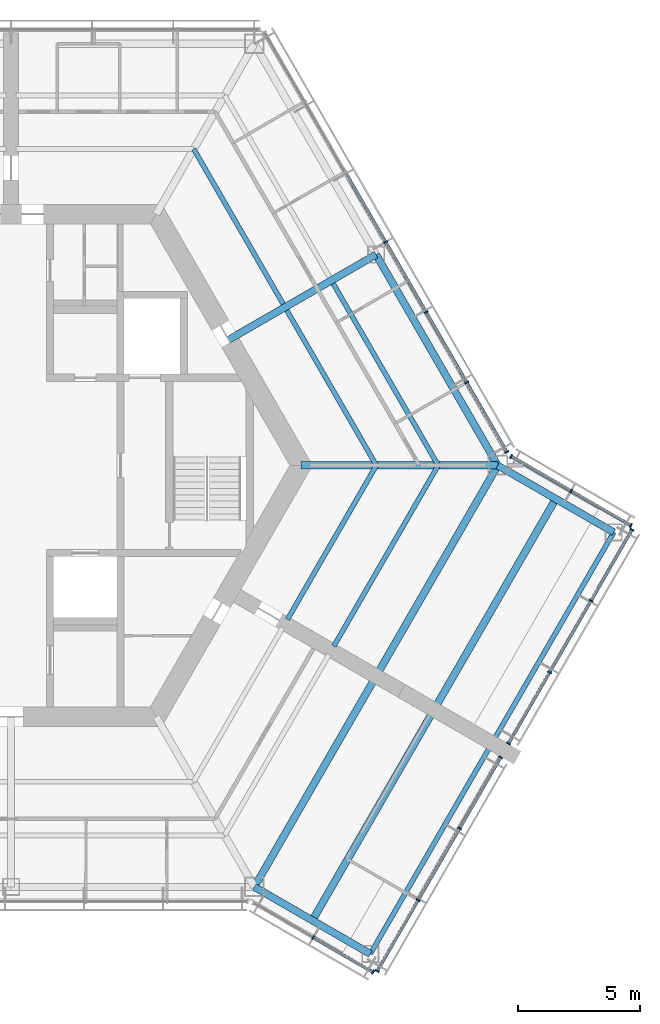
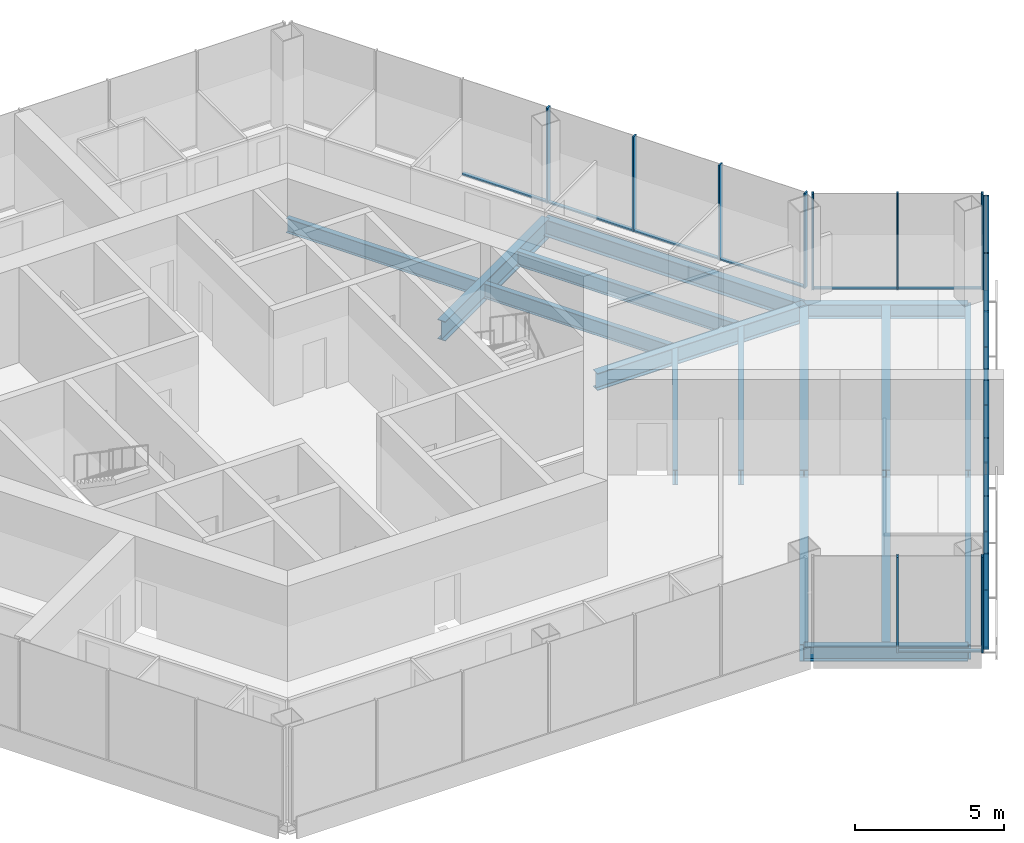
# One storey, part 4 of 13: 30 members, 16 beams, 5 elements without a shape of their own.
"""IFC4 building model written with IfcOpenShell, lengths in metres."""

from ifc_helpers import new_model, si_unit, direction, frame, origin, origin_2d, place, context, subcontext, project, spatial, rectangle, i_section, extrude, material, material_profile, profile_set, type_object, element, aggregate, save


model = new_model("IFC4")

# Units and contexts
model_context = context("Model", 3, precision=1e-05, world=origin(), true_north=direction((0.0, 1.0)))
body_context = subcontext(model_context, "Body", "Model", "MODEL_VIEW")
ifc_project = project(units=[si_unit("LENGTHUNIT", "METRE"), si_unit("AREAUNIT", "SQUARE_METRE"), si_unit("VOLUMEUNIT", "CUBIC_METRE"), si_unit("PLANEANGLEUNIT", "RADIAN"), si_unit("MASSUNIT", "GRAM", prefix="KILO")], contexts=[model_context])

# Site, building, storey
site_placement = place(None, origin())
site = spatial("IfcSite", under=ifc_project, at=site_placement, CompositionType="ELEMENT")
building_placement = place(site_placement, origin())
building = spatial("IfcBuilding", under=site, at=building_placement, Name="Kasaneha Research Tower", CompositionType="ELEMENT")
storey_placement = place(building_placement, frame((0.0, 0.0, 298.60009765625)))
storey = spatial("IfcBuildingStorey", under=building, at=storey_placement, Name="L75", CompositionType="ELEMENT", Elevation=298.60009765625)

# Beams
ifc_material_1 = material(Name="Steel SN490B", Category="steel")
ifc_material_profile_1 = material_profile(ifc_material_1, i_section(OverallWidth=0.199951171875, OverallDepth=0.60009765625, WebThickness=0.010986328125, FlangeThickness=0.01708984375, FilletRadius=0.012939453125, at=origin_2d()), Name="H-600x200x11x17")
ifc_profile_set_1 = profile_set([ifc_material_profile_1], Name="Steel SN490B")
beam_type_1 = type_object("IfcBeamType", Name="B1-3 secondary beam H-600x200x11x17", PredefinedType="JOIST", material=ifc_profile_set_1)
beam_1_placement = place(storey_placement, frame((15.010986328125, 0.0, -0.4501953125), z_axis=(-0.499994443168, 0.866028611999, 0.0), x_axis=(-0.866028611999, -0.499994443168, 0.0)))
element("IfcBeam", 1, at=beam_1_placement, inside=storey, type_object=beam_type_1, Name="Secondary beam RS030L1 L75", PredefinedType="JOIST", context=body_context, shape_type="SweptSolid", body=[
    extrude(i_section(OverallWidth=0.199951171875, OverallDepth=0.60009765625, WebThickness=0.010986328125, FlangeThickness=0.01708984375, FilletRadius=0.012939453125, at=origin_2d()), origin(), (0.0, 0.0, 1.0), 7.35546875),
])
beam_2_placement = place(storey_placement, frame((17.551513671875, 0.0, -0.4501953125), z_axis=(-0.5000050195, 0.866022505755, 0.0), x_axis=(-0.866022505755, -0.5000050195, 0.0)))
element("IfcBeam", 2, at=beam_2_placement, inside=storey, type_object=beam_type_1, Name="Secondary beam RS030L2 L75", PredefinedType="JOIST", context=body_context, shape_type="SweptSolid", body=[
    extrude(i_section(OverallWidth=0.199951171875, OverallDepth=0.60009765625, WebThickness=0.010986328125, FlangeThickness=0.01708984375, FilletRadius=0.012939453125, at=origin_2d()), origin(), (0.0, 0.0, 1.0), 8.6259765625),
])
beam_3_placement = place(storey_placement, frame((7.505615234375, 13.0, -0.4501953125), z_axis=(0.499994443168, -0.866028611999, 0.0), x_axis=(0.866028611999, 0.499994443168, 0.0)))
element("IfcBeam", 3, at=beam_3_placement, inside=storey, type_object=beam_type_1, Name="Secondary beam RS030R1 L75", PredefinedType="JOIST", context=body_context, shape_type="SweptSolid", body=[
    extrude(i_section(OverallWidth=0.199951171875, OverallDepth=0.60009765625, WebThickness=0.010986328125, FlangeThickness=0.01708984375, FilletRadius=0.012939453125, at=origin_2d()), origin(), (0.0, 0.0, 1.0), 7.35546875),
])
beam_4_placement = place(storey_placement, frame((15.010986328125, 0.0, -0.4501953125), z_axis=(-0.499974128195, -0.866040340363, 0.0), x_axis=(0.866040340363, -0.499974128195, 0.0)))
element("IfcBeam", 4, at=beam_4_placement, inside=storey, type_object=beam_type_1, Name="Secondary beam RS330R1 L75", PredefinedType="JOIST", context=body_context, shape_type="SweptSolid", body=[
    extrude(i_section(OverallWidth=0.199951171875, OverallDepth=0.60009765625, WebThickness=0.010986328125, FlangeThickness=0.01708984375, FilletRadius=0.012939453125, at=origin_2d()), origin(), (0.0, 0.0, 1.0), 7.3056640625),
])
beam_5_placement = place(storey_placement, frame((17.551513671875, 0.0, -0.4501953125), z_axis=(-0.500000102728, -0.866025344474, 0.0), x_axis=(0.866025344474, -0.500000102728, 0.0)))
element("IfcBeam", 5, at=beam_5_placement, inside=storey, type_object=beam_type_1, Name="Secondary beam RS330R2 L75", PredefinedType="JOIST", context=body_context, shape_type="SweptSolid", body=[
    extrude(i_section(OverallWidth=0.199951171875, OverallDepth=0.60009765625, WebThickness=0.010986328125, FlangeThickness=0.01708984375, FilletRadius=0.012939453125, at=origin_2d()), origin(), (0.0, 0.0, 1.0), 8.57568359375),
])
ifc_material_2 = material(Name="Steel SN490B", Category="steel")
ifc_material_profile_2 = material_profile(ifc_material_2, i_section(OverallWidth=0.300048828125, OverallDepth=0.58203125, WebThickness=0.011962890625, FlangeThickness=0.01708984375, FilletRadius=0.012939453125, at=origin_2d()), Name="H-582x300x12x17")
ifc_profile_set_2 = profile_set([ifc_material_profile_2], Name="Steel SN490B")
beam_type_2 = type_object("IfcBeamType", Name="B2-3 secondary beam H-582x300x12x17", PredefinedType="JOIST", material=ifc_profile_set_2)
for number, where, z_axis, x_axis, name in (
    (6, (12.381591796875, -18.695556640625, -0.441162109375), (0.49999201416, 0.866030014362, 0.0), (-0.866030014362, 0.49999201416, 0.0), "Secondary beam WBCP1 L75"),
    (7, (22.381591796875, -1.375, -0.441162109375), (-0.49999201416, -0.866030014362, 0.0), (0.866030014362, -0.49999201416, 0.0), "Secondary beam WBCN1 L75"),
):
    element("IfcBeam", number, at=place(storey_placement, frame(where, z_axis=z_axis, x_axis=x_axis)), inside=storey, type_object=beam_type_2, Name=name, PredefinedType="JOIST", context=body_context, shape_type="SweptSolid", body=[
        extrude(i_section(OverallWidth=0.300048828125, OverallDepth=0.58203125, WebThickness=0.011962890625, FlangeThickness=0.01708984375, FilletRadius=0.012939453125, at=origin_2d()), origin(), (0.0, 0.0, 1.0), 9.800048828125),
    ])

# Curtain wall, members
ifc_material_3 = material(Name="Glass and aluminium", Category="aluminium")
curtain_wall_type = type_object("IfcCurtainWallType", Name="Crown curtain wall", PredefinedType="USERDEFINED", material=ifc_material_3)
curtain_wall_1_placement = place(storey_placement, origin())
curtain_wall_1 = element("IfcCurtainWall", 8, at=curtain_wall_1_placement, inside=storey, type_object=curtain_wall_type, Name="CW-C L75 run 01a", ObjectType="UNITISED CURTAIN WALL", PredefinedType="USERDEFINED")
ifc_material_4 = material(Name="Aluminium 6063-T6", Category="aluminium")
ifc_material_profile_3 = material_profile(ifc_material_4, rectangle(XDim=0.06005859375, YDim=0.179931640625, at=origin_2d()), Name="CW-C mullion 60x180")
ifc_profile_set_3 = profile_set([ifc_material_profile_3], Name="Aluminium 6063-T6")
member_type_1 = type_object("IfcMemberType", Name="CW-C mullion", PredefinedType="MULLION", material=ifc_profile_set_3)
member_1_placement = place(storey_placement, frame((20.374267578125, 0.5517578125, 0.0), z_axis=(0.0, 0.0, 1.0), x_axis=(-0.499999979232, 0.866025415775, 0.0)))
member_1 = element("IfcMember", 9, at=member_1_placement, type_object=member_type_1, Name="CW-C mullion 1", PredefinedType="MULLION", context=body_context, shape_type="SweptSolid", body=[
    extrude(rectangle(XDim=0.06005859375, YDim=0.179931640625, at=origin_2d()), origin(), (0.0, 0.0, 1.0), 3.89990234375),
])
member_2_placement = place(storey_placement, frame((18.723876953125, 3.410400390625, 0.0), z_axis=(0.0, 0.0, 1.0), x_axis=(-0.499999979232, 0.866025415775, 0.0)))
member_2 = element("IfcMember", 10, at=member_2_placement, type_object=member_type_1, Name="CW-C mullion 2", PredefinedType="MULLION", context=body_context, shape_type="SweptSolid", body=[
    extrude(rectangle(XDim=0.06005859375, YDim=0.179931640625, at=origin_2d()), origin(), (0.0, 0.0, 1.0), 3.89990234375),
])
member_3_placement = place(storey_placement, frame((17.058349609375, 6.295166015625, 0.0), z_axis=(0.0, 0.0, 1.0), x_axis=(-0.499999979232, 0.866025415775, 0.0)))
member_3 = element("IfcMember", 11, at=member_3_placement, type_object=member_type_1, Name="CW-C mullion 3", PredefinedType="MULLION", context=body_context, shape_type="SweptSolid", body=[
    extrude(rectangle(XDim=0.06005859375, YDim=0.179931640625, at=origin_2d()), origin(), (0.0, 0.0, 1.0), 3.89990234375),
])
member_4_placement = place(storey_placement, frame((15.392822265625, 9.179931640625, 0.0), z_axis=(0.0, 0.0, 1.0), x_axis=(-0.499999979232, 0.866025415775, 0.0)))
member_4 = element("IfcMember", 12, at=member_4_placement, type_object=member_type_1, Name="CW-C mullion 4", PredefinedType="MULLION", context=body_context, shape_type="SweptSolid", body=[
    extrude(rectangle(XDim=0.06005859375, YDim=0.179931640625, at=origin_2d()), origin(), (0.0, 0.0, 1.0), 3.89990234375),
])

curtain_wall_2_placement = place(storey_placement, origin())
curtain_wall_2 = element("IfcCurtainWall", 13, at=curtain_wall_2_placement, inside=storey, type_object=curtain_wall_type, Name="CW-C L75 run 06a", ObjectType="UNITISED CURTAIN WALL", PredefinedType="USERDEFINED")
member_5_placement = place(storey_placement, frame((12.410888671875, -19.4052734375, 0.0), z_axis=(0.0, 0.0, 1.0), x_axis=(0.866025443395, -0.499999931393, 0.0)))
member_5 = element("IfcMember", 14, at=member_5_placement, type_object=member_type_1, Name="CW-C mullion 2", PredefinedType="MULLION", context=body_context, shape_type="SweptSolid", body=[
    extrude(rectangle(XDim=0.06005859375, YDim=0.179931640625, at=origin_2d()), origin(), (0.0, 0.0, 1.0), 3.89990234375),
])
member_6_placement = place(storey_placement, frame((14.8701171875, -20.8251953125, 0.0), z_axis=(0.0, 0.0, 1.0), x_axis=(0.866025443395, -0.499999931393, 0.0)))
member_6 = element("IfcMember", 15, at=member_6_placement, type_object=member_type_1, Name="CW-C mullion 3", PredefinedType="MULLION", context=body_context, shape_type="SweptSolid", body=[
    extrude(rectangle(XDim=0.06005859375, YDim=0.179931640625, at=origin_2d()), origin(), (0.0, 0.0, 1.0), 3.89990234375),
])

curtain_wall_3_placement = place(storey_placement, origin())
curtain_wall_3 = element("IfcCurtainWall", 16, at=curtain_wall_3_placement, inside=storey, type_object=curtain_wall_type, Name="CW-C L75 run 07a", ObjectType="UNITISED CURTAIN WALL", PredefinedType="USERDEFINED")
member_7_placement = place(storey_placement, frame((15.0478515625, -20.777587890625, 0.0), z_axis=(0.0, 0.0, 1.0), x_axis=(0.500000011442, 0.866025397178, 0.0)))
member_7 = element("IfcMember", 17, at=member_7_placement, type_object=member_type_1, Name="CW-C mullion 1", PredefinedType="MULLION", context=body_context, shape_type="SweptSolid", body=[
    extrude(rectangle(XDim=0.06005859375, YDim=0.179931640625, at=origin_2d()), origin(), (0.0, 0.0, 1.0), 3.89990234375),
])
member_8_placement = place(storey_placement, frame((16.732666015625, -17.859130859375, 0.0), z_axis=(0.0, 0.0, 1.0), x_axis=(0.500000011442, 0.866025397178, 0.0)))
member_8 = element("IfcMember", 18, at=member_8_placement, type_object=member_type_1, Name="CW-C mullion 2", PredefinedType="MULLION", context=body_context, shape_type="SweptSolid", body=[
    extrude(rectangle(XDim=0.06005859375, YDim=0.179931640625, at=origin_2d()), origin(), (0.0, 0.0, 1.0), 3.89990234375),
])
member_9_placement = place(storey_placement, frame((18.432861328125, -14.91455078125, 0.0), z_axis=(0.0, 0.0, 1.0), x_axis=(0.500000011442, 0.866025397178, 0.0)))
member_9 = element("IfcMember", 19, at=member_9_placement, type_object=member_type_1, Name="CW-C mullion 3", PredefinedType="MULLION", context=body_context, shape_type="SweptSolid", body=[
    extrude(rectangle(XDim=0.06005859375, YDim=0.179931640625, at=origin_2d()), origin(), (0.0, 0.0, 1.0), 3.89990234375),
])
member_10_placement = place(storey_placement, frame((20.11767578125, -11.99609375, 0.0), z_axis=(0.0, 0.0, 1.0), x_axis=(0.500000011442, 0.866025397178, 0.0)))
member_10 = element("IfcMember", 20, at=member_10_placement, type_object=member_type_1, Name="CW-C mullion 4", PredefinedType="MULLION", context=body_context, shape_type="SweptSolid", body=[
    extrude(rectangle(XDim=0.06005859375, YDim=0.179931640625, at=origin_2d()), origin(), (0.0, 0.0, 1.0), 3.89990234375),
])

curtain_wall_4_placement = place(storey_placement, origin())
curtain_wall_4 = element("IfcCurtainWall", 21, at=curtain_wall_4_placement, inside=storey, type_object=curtain_wall_type, Name="CW-C L75 run 08a", ObjectType="UNITISED CURTAIN WALL", PredefinedType="USERDEFINED")
member_11_placement = place(storey_placement, frame((20.44775390625, -11.424560546875, 0.0), z_axis=(0.0, 0.0, 1.0), x_axis=(0.500000011442, 0.866025397178, 0.0)))
member_11 = element("IfcMember", 22, at=member_11_placement, type_object=member_type_1, Name="CW-C mullion 1", PredefinedType="MULLION", context=body_context, shape_type="SweptSolid", body=[
    extrude(rectangle(XDim=0.06005859375, YDim=0.179931640625, at=origin_2d()), origin(), (0.0, 0.0, 1.0), 3.89990234375),
])
member_12_placement = place(storey_placement, frame((22.1328125, -8.505859375, 0.0), z_axis=(0.0, 0.0, 1.0), x_axis=(0.500000011442, 0.866025397178, 0.0)))
member_12 = element("IfcMember", 23, at=member_12_placement, type_object=member_type_1, Name="CW-C mullion 2", PredefinedType="MULLION", context=body_context, shape_type="SweptSolid", body=[
    extrude(rectangle(XDim=0.06005859375, YDim=0.179931640625, at=origin_2d()), origin(), (0.0, 0.0, 1.0), 3.89990234375),
])
member_13_placement = place(storey_placement, frame((23.832763671875, -5.5615234375, 0.0), z_axis=(0.0, 0.0, 1.0), x_axis=(0.500000011442, 0.866025397178, 0.0)))
member_13 = element("IfcMember", 24, at=member_13_placement, type_object=member_type_1, Name="CW-C mullion 3", PredefinedType="MULLION", context=body_context, shape_type="SweptSolid", body=[
    extrude(rectangle(XDim=0.06005859375, YDim=0.179931640625, at=origin_2d()), origin(), (0.0, 0.0, 1.0), 3.89990234375),
])
member_14_placement = place(storey_placement, frame((25.517822265625, -2.64306640625, 0.0), z_axis=(0.0, 0.0, 1.0), x_axis=(0.500000011442, 0.866025397178, 0.0)))
member_14 = element("IfcMember", 25, at=member_14_placement, type_object=member_type_1, Name="CW-C mullion 4", PredefinedType="MULLION", context=body_context, shape_type="SweptSolid", body=[
    extrude(rectangle(XDim=0.06005859375, YDim=0.179931640625, at=origin_2d()), origin(), (0.0, 0.0, 1.0), 3.89990234375),
])

curtain_wall_5_placement = place(storey_placement, origin())
curtain_wall_5 = element("IfcCurtainWall", 26, at=curtain_wall_5_placement, inside=storey, type_object=curtain_wall_type, Name="CW-C L75 run 09a", ObjectType="UNITISED CURTAIN WALL", PredefinedType="USERDEFINED")
member_15_placement = place(storey_placement, frame((25.47021484375, -2.46533203125, 0.0), z_axis=(0.0, 0.0, 1.0), x_axis=(-0.866025443395, 0.499999931393, 0.0)))
member_15 = element("IfcMember", 27, at=member_15_placement, type_object=member_type_1, Name="CW-C mullion 1", PredefinedType="MULLION", context=body_context, shape_type="SweptSolid", body=[
    extrude(rectangle(XDim=0.06005859375, YDim=0.179931640625, at=origin_2d()), origin(), (0.0, 0.0, 1.0), 3.89990234375),
])
member_16_placement = place(storey_placement, frame((23.010986328125, -1.045654296875, 0.0), z_axis=(0.0, 0.0, 1.0), x_axis=(-0.866025443395, 0.499999931393, 0.0)))
member_16 = element("IfcMember", 28, at=member_16_placement, type_object=member_type_1, Name="CW-C mullion 2", PredefinedType="MULLION", context=body_context, shape_type="SweptSolid", body=[
    extrude(rectangle(XDim=0.06005859375, YDim=0.179931640625, at=origin_2d()), origin(), (0.0, 0.0, 1.0), 3.89990234375),
])
member_17_placement = place(storey_placement, frame((20.5517578125, 0.374267578125, 0.0), z_axis=(0.0, 0.0, 1.0), x_axis=(-0.866025443395, 0.499999931393, 0.0)))
member_17 = element("IfcMember", 29, at=member_17_placement, type_object=member_type_1, Name="CW-C mullion 3", PredefinedType="MULLION", context=body_context, shape_type="SweptSolid", body=[
    extrude(rectangle(XDim=0.06005859375, YDim=0.179931640625, at=origin_2d()), origin(), (0.0, 0.0, 1.0), 3.89990234375),
])

# Member
ifc_material_5 = material(Name="Aluminium 6063-T6", Category="aluminium")
ifc_material_profile_4 = material_profile(ifc_material_5, rectangle(XDim=0.1298828125, YDim=0.06005859375, at=origin_2d()), Name="CW-C transom 130x60")
ifc_profile_set_4 = profile_set([ifc_material_profile_4], Name="Aluminium 6063-T6")
member_type_2 = type_object("IfcMemberType", Name="CW-C transom", PredefinedType="USERDEFINED", material=ifc_profile_set_4)
member_18_placement = place(storey_placement, frame((20.359130859375, 0.577880859375, 0.02978515625), z_axis=(-0.499987643696, 0.866032537582, 0.0), x_axis=(-0.866032537582, -0.499987643696, 0.0)))
member_18 = element("IfcMember", 30, at=member_18_placement, type_object=member_type_2, Name="CW-C transom 1", ObjectType="TRANSOM", PredefinedType="USERDEFINED", context=body_context, shape_type="SweptSolid", body=[
    extrude(rectangle(XDim=0.1298828125, YDim=0.06005859375, at=origin_2d()), origin(), (0.0, 0.0, 1.0), 3.24072265625),
])

member_19_placement = place(storey_placement, frame((18.708740234375, 3.4365234375, 0.02978515625), z_axis=(-0.500000270186, 0.866025247793, 0.0), x_axis=(-0.866025247793, -0.500000270186, 0.0)))
member_19 = element("IfcMember", 31, at=member_19_placement, type_object=member_type_2, Name="CW-C transom 2", ObjectType="TRANSOM", PredefinedType="USERDEFINED", context=body_context, shape_type="SweptSolid", body=[
    extrude(rectangle(XDim=0.1298828125, YDim=0.06005859375, at=origin_2d()), origin(), (0.0, 0.0, 1.0), 3.27099609375),
])

member_20_placement = place(storey_placement, frame((17.043212890625, 6.3212890625, 0.02978515625), z_axis=(-0.50003259116, 0.866006586452, 0.0), x_axis=(-0.866006586452, -0.50003259116, 0.0)))
member_20 = element("IfcMember", 32, at=member_20_placement, type_object=member_type_2, Name="CW-C transom 3", ObjectType="TRANSOM", PredefinedType="USERDEFINED", context=body_context, shape_type="SweptSolid", body=[
    extrude(rectangle(XDim=0.1298828125, YDim=0.06005859375, at=origin_2d()), origin(), (0.0, 0.0, 1.0), 3.270751953125),
])

member_21_placement = place(storey_placement, frame((15.3779296875, 9.205810546875, 0.02978515625), z_axis=(-0.500000270186, 0.866025247793, 0.0), x_axis=(-0.866025247793, -0.500000270186, 0.0)))
member_21 = element("IfcMember", 33, at=member_21_placement, type_object=member_type_2, Name="CW-C transom 4", ObjectType="TRANSOM", PredefinedType="USERDEFINED", context=body_context, shape_type="SweptSolid", body=[
    extrude(rectangle(XDim=0.1298828125, YDim=0.06005859375, at=origin_2d()), origin(), (0.0, 0.0, 1.0), 3.27099609375),
])

aggregate(curtain_wall_1, [member_1, member_2, member_3, member_4, member_18, member_19, member_20, member_21])

member_22_placement = place(storey_placement, frame((12.43701171875, -19.42041015625, 0.02978515625), z_axis=(0.866051024128, -0.499955621637, 0.0), x_axis=(0.499955621637, 0.866051024128, 0.0)))
member_22 = element("IfcMember", 34, at=member_22_placement, type_object=member_type_2, Name="CW-C transom 2", ObjectType="TRANSOM", PredefinedType="USERDEFINED", context=body_context, shape_type="SweptSolid", body=[
    extrude(rectangle(XDim=0.1298828125, YDim=0.06005859375, at=origin_2d()), origin(), (0.0, 0.0, 1.0), 2.779541015625),
])

aggregate(curtain_wall_2, [member_5, member_6, member_22])

member_23_placement = place(storey_placement, frame((15.062744140625, -20.75146484375, 0.02978515625), z_axis=(0.500018282537, 0.866014848099, 0.0), x_axis=(-0.866014848099, 0.500018282537, 0.0)))
member_23 = element("IfcMember", 35, at=member_23_placement, type_object=member_type_2, Name="CW-C transom 1", ObjectType="TRANSOM", PredefinedType="USERDEFINED", context=body_context, shape_type="SweptSolid", body=[
    extrude(rectangle(XDim=0.1298828125, YDim=0.06005859375, at=origin_2d()), origin(), (0.0, 0.0, 1.0), 3.31005859375),
])

member_24_placement = place(storey_placement, frame((16.747802734375, -17.8330078125, 0.02978515625), z_axis=(0.499975549825, 0.866039519639, 0.0), x_axis=(-0.866039519639, 0.499975549825, 0.0)))
member_24 = element("IfcMember", 36, at=member_24_placement, type_object=member_type_2, Name="CW-C transom 2", ObjectType="TRANSOM", PredefinedType="USERDEFINED", context=body_context, shape_type="SweptSolid", body=[
    extrude(rectangle(XDim=0.1298828125, YDim=0.06005859375, at=origin_2d()), origin(), (0.0, 0.0, 1.0), 3.340087890625),
])

member_25_placement = place(storey_placement, frame((18.44775390625, -14.888671875, 0.02978515625), z_axis=(0.49998634449, 0.866033287653, 0.0), x_axis=(-0.866033287653, 0.49998634449, 0.0)))
member_25 = element("IfcMember", 37, at=member_25_placement, type_object=member_type_2, Name="CW-C transom 3", ObjectType="TRANSOM", PredefinedType="USERDEFINED", context=body_context, shape_type="SweptSolid", body=[
    extrude(rectangle(XDim=0.1298828125, YDim=0.06005859375, at=origin_2d()), origin(), (0.0, 0.0, 1.0), 3.31005859375),
])

aggregate(curtain_wall_3, [member_7, member_8, member_9, member_10, member_23, member_24, member_25])

member_26_placement = place(storey_placement, frame((20.462646484375, -11.3984375, 0.02978515625), z_axis=(0.500018282537, 0.866014848099, 0.0), x_axis=(-0.866014848099, 0.500018282537, 0.0)))
member_26 = element("IfcMember", 38, at=member_26_placement, type_object=member_type_2, Name="CW-C transom 1", ObjectType="TRANSOM", PredefinedType="USERDEFINED", context=body_context, shape_type="SweptSolid", body=[
    extrude(rectangle(XDim=0.1298828125, YDim=0.06005859375, at=origin_2d()), origin(), (0.0, 0.0, 1.0), 3.31005859375),
])

member_27_placement = place(storey_placement, frame((22.147705078125, -8.47998046875, 0.02978515625), z_axis=(0.500030370488, 0.866007868665, 0.0), x_axis=(-0.866007868665, 0.500030370488, 0.0)))
member_27 = element("IfcMember", 39, at=member_27_placement, type_object=member_type_2, Name="CW-C transom 2", ObjectType="TRANSOM", PredefinedType="USERDEFINED", context=body_context, shape_type="SweptSolid", body=[
    extrude(rectangle(XDim=0.1298828125, YDim=0.06005859375, at=origin_2d()), origin(), (0.0, 0.0, 1.0), 3.340087890625),
])

member_28_placement = place(storey_placement, frame((23.84765625, -5.535400390625, 0.02978515625), z_axis=(0.500018282537, 0.866014848099, 0.0), x_axis=(-0.866014848099, 0.500018282537, 0.0)))
member_28 = element("IfcMember", 40, at=member_28_placement, type_object=member_type_2, Name="CW-C transom 3", ObjectType="TRANSOM", PredefinedType="USERDEFINED", context=body_context, shape_type="SweptSolid", body=[
    extrude(rectangle(XDim=0.1298828125, YDim=0.06005859375, at=origin_2d()), origin(), (0.0, 0.0, 1.0), 3.31005859375),
])

aggregate(curtain_wall_4, [member_11, member_12, member_13, member_14, member_26, member_27, member_28])

member_29_placement = place(storey_placement, frame((25.444091796875, -2.450439453125, 0.02978515625), z_axis=(-0.866012991964, 0.500021497287, 0.0), x_axis=(-0.500021497287, -0.866012991964, 0.0)))
member_29 = element("IfcMember", 41, at=member_29_placement, type_object=member_type_2, Name="CW-C transom 1", ObjectType="TRANSOM", PredefinedType="USERDEFINED", context=body_context, shape_type="SweptSolid", body=[
    extrude(rectangle(XDim=0.1298828125, YDim=0.06005859375, at=origin_2d()), origin(), (0.0, 0.0, 1.0), 2.77978515625),
])

member_30_placement = place(storey_placement, frame((22.985107421875, -1.030517578125, 0.02978515625), z_axis=(-0.866051024128, 0.499955621637, 0.0), x_axis=(-0.499955621637, -0.866051024128, 0.0)))
member_30 = element("IfcMember", 42, at=member_30_placement, type_object=member_type_2, Name="CW-C transom 2", ObjectType="TRANSOM", PredefinedType="USERDEFINED", context=body_context, shape_type="SweptSolid", body=[
    extrude(rectangle(XDim=0.1298828125, YDim=0.06005859375, at=origin_2d()), origin(), (0.0, 0.0, 1.0), 2.779541015625),
])

aggregate(curtain_wall_5, [member_15, member_16, member_17, member_29, member_30])

# Beams
ifc_material_6 = material(Name="Steel SN490B", Category="steel")
ifc_material_profile_5 = material_profile(ifc_material_6, i_section(OverallWidth=0.300048828125, OverallDepth=0.699951171875, WebThickness=0.012939453125, FlangeThickness=0.02392578125, FilletRadius=0.01806640625, at=origin_2d()), Name="H-700x300x13x24")
ifc_profile_set_5 = profile_set([ifc_material_profile_5], Name="Steel SN490B")
beam_type_3 = type_object("IfcBeamType", Name="G1-3 radial girder H-700x300x13x24", PredefinedType="BEAM", material=ifc_profile_set_5)
beam_6_placement = place(storey_placement, frame((11.92236328125, 0.0, -0.5), z_axis=(1.0, 0.0, 0.0), x_axis=(0.0, 1.0, 0.0)))
element("IfcBeam", 43, at=beam_6_placement, inside=storey, type_object=beam_type_3, Name="Radial girder RV000 L75", PredefinedType="BEAM", context=body_context, shape_type="SweptSolid", body=[
    extrude(i_section(OverallWidth=0.300048828125, OverallDepth=0.699951171875, WebThickness=0.012939453125, FlangeThickness=0.02392578125, FilletRadius=0.01806640625, at=origin_2d()), origin(), (0.0, 0.0, 1.0), 8.07763671875),
])
ifc_material_7 = material(Name="Steel SN490B", Category="steel")
ifc_material_profile_6 = material_profile(ifc_material_7, i_section(OverallWidth=0.300048828125, OverallDepth=0.800048828125, WebThickness=0.013916015625, FlangeThickness=0.02587890625, FilletRadius=0.01806640625, at=origin_2d()), Name="H-800x300x14x26")
ifc_profile_set_6 = profile_set([ifc_material_profile_6], Name="Steel SN490B")
beam_type_4 = type_object("IfcBeamType", Name="G2-3 radial girder H-800x300x14x26", PredefinedType="BEAM", material=ifc_profile_set_6)
beam_7_placement = place(storey_placement, frame((8.941650390625, 5.16259765625, -0.550048828125), z_axis=(0.866039713508, 0.499975214012, 0.0), x_axis=(-0.499975214012, 0.866039713508, 0.0)))
element("IfcBeam", 44, at=beam_7_placement, inside=storey, type_object=beam_type_4, Name="Radial girder RM030 L75", PredefinedType="BEAM", context=body_context, shape_type="SweptSolid", body=[
    extrude(i_section(OverallWidth=0.300048828125, OverallDepth=0.800048828125, WebThickness=0.013916015625, FlangeThickness=0.02587890625, FilletRadius=0.01806640625, at=origin_2d()), origin(), (0.0, 0.0, 1.0), 6.995361328125),
])
ifc_material_8 = material(Name="Steel SN490B", Category="steel")
ifc_material_profile_7 = material_profile(ifc_material_8, i_section(OverallWidth=0.300048828125, OverallDepth=0.69189453125, WebThickness=0.012939453125, FlangeThickness=0.02001953125, FilletRadius=0.01806640625, at=origin_2d()), Name="H-692x300x13x20")
ifc_profile_set_7 = profile_set([ifc_material_profile_7], Name="Steel SN490B")
beam_type_5 = type_object("IfcBeamType", Name="G3-3 plate edge girder H-692x300x13x20", PredefinedType="BEAM", material=ifc_profile_set_7)
for number, where, z_axis, x_axis, name in (
    (45, (10.0, -17.320556640625, -0.49609375), (0.49999201416, 0.866030014362, 0.0), (-0.866030014362, 0.49999201416, 0.0), "Plate edge girder PECP L75"),
    (46, (20.0, 0.0, -0.49609375), (-0.49999201416, -0.866030014362, 0.0), (0.866030014362, -0.49999201416, 0.0), "Plate edge girder PECN L75"),
):
    element("IfcBeam", number, at=place(storey_placement, frame(where, z_axis=z_axis, x_axis=x_axis)), inside=storey, type_object=beam_type_5, Name=name, PredefinedType="BEAM", context=body_context, shape_type="SweptSolid", body=[
        extrude(i_section(OverallWidth=0.300048828125, OverallDepth=0.69189453125, WebThickness=0.012939453125, FlangeThickness=0.02001953125, FilletRadius=0.01806640625, at=origin_2d()), origin(), (0.0, 0.0, 1.0), 9.800048828125),
    ])
ifc_material_9 = material(Name="Steel SN490B", Category="steel")
ifc_material_profile_8 = material_profile(ifc_material_9, i_section(OverallWidth=0.300048828125, OverallDepth=0.69189453125, WebThickness=0.012939453125, FlangeThickness=0.02001953125, FilletRadius=0.01806640625, at=origin_2d()), Name="H-692x300x13x20")
ifc_profile_set_8 = profile_set([ifc_material_profile_8], Name="Steel SN490B")
beam_type_6 = type_object("IfcBeamType", Name="SB1-3 spandrel beam H-692x300x13x20", PredefinedType="SPANDREL", material=ifc_profile_set_8)
beam_8_placement = place(storey_placement, frame((20.0, 0.0, -0.49609375), z_axis=(-0.500004234368, 0.866022959057, 0.0), x_axis=(-0.866022959057, -0.500004234368, 0.0)))
element("IfcBeam", 47, at=beam_8_placement, inside=storey, type_object=beam_type_6, Name="Spandrel beam SR030L L75", PredefinedType="SPANDREL", context=body_context, shape_type="SweptSolid", body=[
    extrude(i_section(OverallWidth=0.300048828125, OverallDepth=0.69189453125, WebThickness=0.012939453125, FlangeThickness=0.02001953125, FilletRadius=0.01806640625, at=origin_2d()), origin(), (0.0, 0.0, 1.0), 10.0),
])
ifc_material_10 = material(Name="Steel SN490B", Category="steel")
ifc_material_profile_9 = material_profile(ifc_material_10, i_section(OverallWidth=0.300048828125, OverallDepth=0.58203125, WebThickness=0.011962890625, FlangeThickness=0.01708984375, FilletRadius=0.012939453125, at=origin_2d()), Name="H-582x300x12x17")
ifc_profile_set_9 = profile_set([ifc_material_profile_9], Name="Steel SN490B")
beam_type_7 = type_object("IfcBeamType", Name="SB2-3 spandrel beam H-582x300x12x17", PredefinedType="SPANDREL", material=ifc_profile_set_9)
for number, where, z_axis, x_axis, name in (
    (48, (10.0, -17.320556640625, -0.441162109375), (0.866027397988, -0.499996545922, 0.0), (0.499996545922, 0.866027397988, 0.0), "Spandrel beam WSCP1 L75"),
    (49, (20.0, 0.0, -0.441162109375), (0.866027397988, -0.499996545922, 0.0), (0.499996545922, 0.866027397988, 0.0), "Spandrel beam WSCN1 L75"),
):
    element("IfcBeam", number, at=place(storey_placement, frame(where, z_axis=z_axis, x_axis=x_axis)), inside=storey, type_object=beam_type_7, Name=name, PredefinedType="SPANDREL", context=body_context, shape_type="SweptSolid", body=[
        extrude(i_section(OverallWidth=0.300048828125, OverallDepth=0.58203125, WebThickness=0.011962890625, FlangeThickness=0.01708984375, FilletRadius=0.012939453125, at=origin_2d()), origin(), (0.0, 0.0, 1.0), 5.5),
    ])
ifc_material_11 = material(Name="Steel SN490B", Category="steel")
ifc_material_profile_10 = material_profile(ifc_material_11, i_section(OverallWidth=0.199951171875, OverallDepth=0.60009765625, WebThickness=0.010986328125, FlangeThickness=0.01708984375, FilletRadius=0.012939453125, at=origin_2d()), Name="H-600x200x11x17")
ifc_profile_set_10 = profile_set([ifc_material_profile_10], Name="Steel SN490B")
beam_type_8 = type_object("IfcBeamType", Name="SB3-3 spandrel beam H-600x200x11x17", PredefinedType="SPANDREL", material=ifc_profile_set_10)
for number, where, z_axis, x_axis, name in (
    (50, (14.76318359375, -20.070556640625, -0.4501953125), (0.49999201416, 0.866030014362, 0.0), (-0.866030014362, 0.49999201416, 0.0), "Spandrel beam WTCP L75"),
    (51, (24.76318359375, -2.75, -0.4501953125), (-0.500010698315, -0.866019227021, 0.0), (0.866019227021, -0.500010698315, 0.0), "Spandrel beam WTCN L75"),
):
    element("IfcBeam", number, at=place(storey_placement, frame(where, z_axis=z_axis, x_axis=x_axis)), inside=storey, type_object=beam_type_8, Name=name, PredefinedType="SPANDREL", context=body_context, shape_type="SweptSolid", body=[
        extrude(i_section(OverallWidth=0.199951171875, OverallDepth=0.60009765625, WebThickness=0.010986328125, FlangeThickness=0.01708984375, FilletRadius=0.012939453125, at=origin_2d()), origin(), (0.0, 0.0, 1.0), 9.800048828125),
    ])

save(model, "model.ifc")
